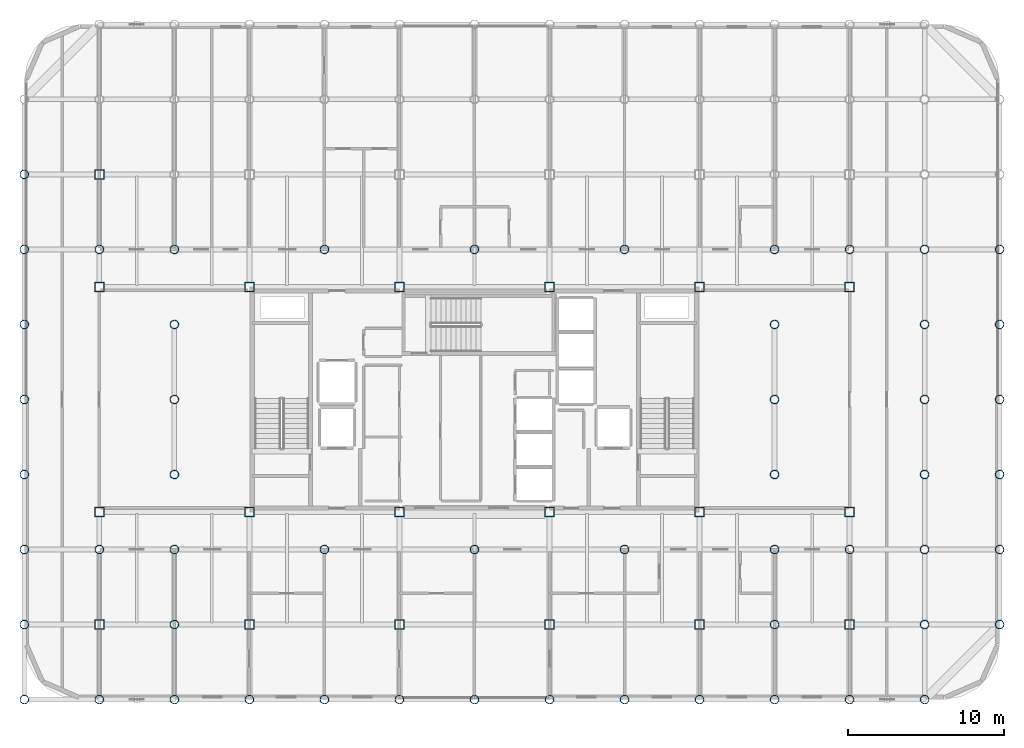
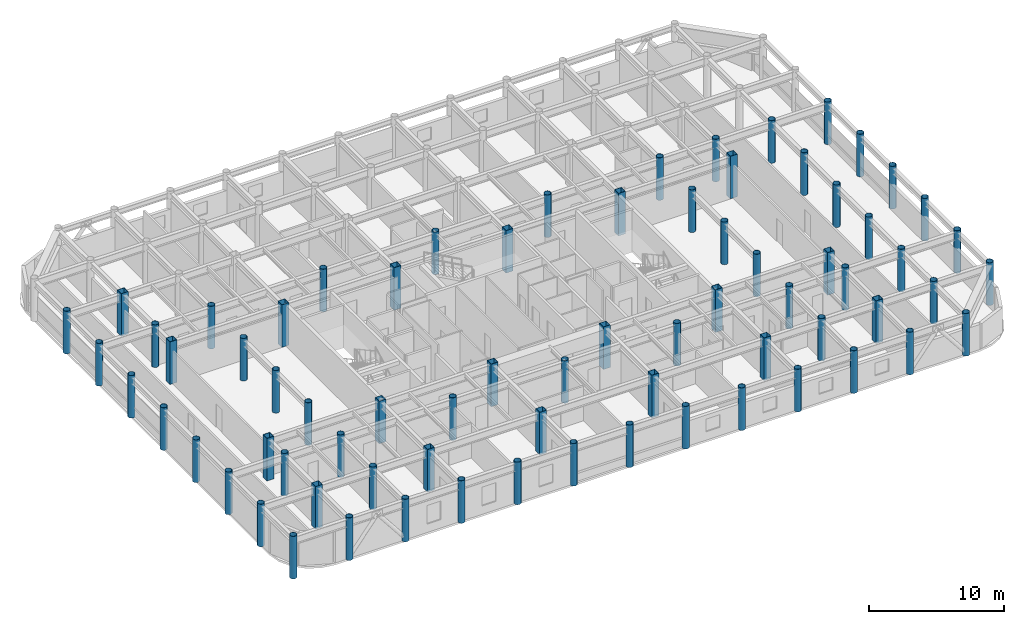
# One storey, part 1 of 23: 73 columns.
"""IFC4 building model written with IfcOpenShell, lengths in metres."""

from ifc_helpers import new_model, si_unit, direction, frame, origin, origin_2d, place, context, subcontext, project, spatial, hollow_rectangle, hollow_circle, extrude, material, material_profile, profile_set, type_object, element, save


model = new_model("IFC4")

# Units and contexts
model_context = context("Model", 3, precision=1e-05, world=origin(), true_north=direction((0.0, 1.0)))
body_context = subcontext(model_context, "Body", "Model", "MODEL_VIEW")
ifc_project = project(units=[si_unit("LENGTHUNIT", "METRE"), si_unit("AREAUNIT", "SQUARE_METRE"), si_unit("VOLUMEUNIT", "CUBIC_METRE"), si_unit("PLANEANGLEUNIT", "RADIAN"), si_unit("MASSUNIT", "GRAM", prefix="KILO")], contexts=[model_context])

# Site, building, storey
site_placement = place(None, origin())
site = spatial("IfcSite", under=ifc_project, at=site_placement, CompositionType="ELEMENT")
building_placement = place(site_placement, origin())
building = spatial("IfcBuilding", under=site, at=building_placement, Name="Kallvorn Hotel Tower", CompositionType="ELEMENT")
storey_placement = place(building_placement, frame((0.0, 0.0, 237.699951171875)))
storey = spatial("IfcBuildingStorey", under=building, at=storey_placement, Name="L59", CompositionType="ELEMENT", Elevation=237.699951171875)

# Columns
ifc_material_1 = material(Name="Structural steel S355J2H", Category="steel")
ifc_material_profile_1 = material_profile(ifc_material_1, hollow_circle(Radius=0.279541015625, WallThickness=0.02490234375, at=origin_2d()), Name="CHS 559x25")
ifc_profile_set_1 = profile_set([ifc_material_profile_1], Name="Structural steel S355J2H")
column_type_1 = type_object("IfcColumnType", Name="COL_CHS_559", PredefinedType="COLUMN", material=ifc_profile_set_1)
for number, where, z_axis, x_axis, name in (
    (1, (-28.800048828125, -19.199951171875, 0.0), (0.0, 0.0, 1.0), (1.0, 0.0, 0.0), "L59 Exoskeleton Column EC01"),
    (2, (-28.800048828125, -14.39990234375, 0.0), (0.0, 0.0, 1.0), (1.0, 0.0, 0.0), "L59 Exoskeleton Column EC02"),
    (3, (-28.800048828125, -9.60009765625, 0.0), (0.0, 0.0, 1.0), (1.0, 0.0, 0.0), "L59 Exoskeleton Column EC03"),
    (4, (-28.800048828125, -4.800048828125, 0.0), (0.0, 0.0, 1.0), (1.0, 0.0, 0.0), "L59 Exoskeleton Column EC04"),
    (5, (-28.800048828125, 0.0, 0.0), (0.0, 0.0, 1.0), (1.0, 0.0, 0.0), "L59 Exoskeleton Column EC05"),
    (6, (-28.800048828125, 4.800048828125, 0.0), (0.0, 0.0, 1.0), (1.0, 0.0, 0.0), "L59 Exoskeleton Column EC06"),
    (7, (-28.800048828125, 9.60009765625, 0.0), (0.0, 0.0, 1.0), (1.0, 0.0, 0.0), "L59 Exoskeleton Column EC07"),
    (8, (-28.800048828125, 14.39990234375, 0.0), (0.0, 0.0, 1.0), (1.0, 0.0, 0.0), "L59 Exoskeleton Column EC08"),
    (9, (-24.0, -19.199951171875, 0.0), (0.0, 0.0, 1.0), (1.0, 0.0, 0.0), "L59 Exoskeleton Column EC10"),
    (10, (-24.0, -9.60009765625, 0.0), (0.0, 0.0, 1.0), (1.0, 0.0, 0.0), "L59 Exoskeleton Column EC11"),
    (11, (-24.0, 9.60009765625, 0.0), (0.0, 0.0, 1.0), (1.0, 0.0, 0.0), "L59 Exoskeleton Column EC12"),
    (12, (-19.199951171875, -19.199951171875, 0.0), (0.0, 0.0, 1.0), (1.0, 0.0, 0.0), "L59 Exoskeleton Column EC15"),
    (13, (-19.199951171875, -14.39990234375, 0.0), (0.0, 0.0, 1.0), (1.0, 0.0, 0.0), "L59 Exoskeleton Column EC16"),
    (14, (-19.199951171875, -9.60009765625, 0.0), (0.0, 0.0, 1.0), (1.0, 0.0, 0.0), "L59 Exoskeleton Column EC17"),
    (15, (-19.199951171875, -4.800048828125, 0.0), (0.0, 0.0, 1.0), (1.0, 0.0, 0.0), "L59 Exoskeleton Column EC18"),
    (16, (-19.199951171875, 0.0, 0.0), (0.0, 0.0, 1.0), (1.0, 0.0, 0.0), "L59 Exoskeleton Column EC19"),
    (17, (-19.199951171875, 4.800048828125, 0.0), (0.0, 0.0, 1.0), (1.0, 0.0, 0.0), "L59 Exoskeleton Column EC20"),
    (18, (-19.199951171875, 9.60009765625, 0.0), (0.0, 0.0, 1.0), (1.0, 0.0, 0.0), "L59 Exoskeleton Column EC21"),
    (19, (-14.39990234375, -19.199951171875, 0.0), (0.0, 0.0, 1.0), (1.0, 0.0, 0.0), "L59 Exoskeleton Column EC25"),
    (20, (-9.60009765625, -19.199951171875, 0.0), (0.0, 0.0, 1.0), (1.0, 0.0, 0.0), "L59 Exoskeleton Column EC28"),
    (21, (-9.60009765625, -9.60009765625, 0.0), (0.0, 0.0, 1.0), (1.0, 0.0, 0.0), "L59 Exoskeleton Column EC29"),
    (22, (-9.60009765625, 9.60009765625, 0.0), (0.0, 0.0, 1.0), (1.0, 0.0, 0.0), "L59 Exoskeleton Column EC30"),
    (23, (-4.800048828125, -19.199951171875, 0.0), (0.0, 0.0, 1.0), (1.0, 0.0, 0.0), "L59 Exoskeleton Column EC33"),
    (24, (0.0, -19.199951171875, 0.0), (0.0, 0.0, 1.0), (1.0, 0.0, 0.0), "L59 Exoskeleton Column EC36"),
    (25, (0.0, -9.60009765625, 0.0), (0.0, 0.0, 1.0), (1.0, 0.0, 0.0), "L59 Exoskeleton Column EC37"),
    (26, (0.0, 9.60009765625, 0.0), (0.0, 0.0, 1.0), (1.0, 0.0, 0.0), "L59 Exoskeleton Column EC38"),
    (27, (4.800048828125, -19.199951171875, 0.0), (0.0, 0.0, 1.0), (1.0, 0.0, 0.0), "L59 Exoskeleton Column EC41"),
    (28, (9.60009765625, -19.199951171875, 0.0), (0.0, 0.0, 1.0), (1.0, 0.0, 0.0), "L59 Exoskeleton Column EC44"),
    (29, (9.60009765625, -9.60009765625, 0.0), (0.0, 0.0, 1.0), (1.0, 0.0, 0.0), "L59 Exoskeleton Column EC45"),
    (30, (9.60009765625, 9.60009765625, 0.0), (0.0, 0.0, 1.0), (1.0, 0.0, 0.0), "L59 Exoskeleton Column EC46"),
    (31, (14.39990234375, -19.199951171875, 0.0), (0.0, 0.0, 1.0), (1.0, 0.0, 0.0), "L59 Exoskeleton Column EC49"),
    (32, (19.199951171875, -19.199951171875, 0.0), (0.0, 0.0, 1.0), (1.0, 0.0, 0.0), "L59 Exoskeleton Column EC52"),
    (33, (19.199951171875, -14.39990234375, 0.0), (0.0, 0.0, 1.0), (1.0, 0.0, 0.0), "L59 Exoskeleton Column EC53"),
    (34, (19.199951171875, -9.60009765625, 0.0), (0.0, 0.0, 1.0), (1.0, 0.0, 0.0), "L59 Exoskeleton Column EC54"),
    (35, (19.199951171875, -4.800048828125, 0.0), (0.0, 0.0, 1.0), (1.0, 0.0, 0.0), "L59 Exoskeleton Column EC55"),
    (36, (19.199951171875, 0.0, 0.0), (0.0, 0.0, 1.0), (1.0, 0.0, 0.0), "L59 Exoskeleton Column EC56"),
    (37, (19.199951171875, 4.800048828125, 0.0), (0.0, 0.0, 1.0), (1.0, 0.0, 0.0), "L59 Exoskeleton Column EC57"),
    (38, (19.199951171875, 9.60009765625, 0.0), (0.0, 0.0, 1.0), (1.0, 0.0, 0.0), "L59 Exoskeleton Column EC58"),
    (39, (24.0, -19.199951171875, 0.0), (0.0, 0.0, 1.0), (1.0, 0.0, 0.0), "L59 Exoskeleton Column EC62"),
    (40, (24.0, -9.60009765625, 0.0), (0.0, 0.0, 1.0), (1.0, 0.0, 0.0), "L59 Exoskeleton Column EC63"),
    (41, (24.0, 9.60009765625, 0.0), (0.0, 0.0, 1.0), (1.0, 0.0, 0.0), "L59 Exoskeleton Column EC64"),
    (42, (28.800048828125, -19.199951171875, 0.0), (0.0, 0.0, 1.0), (1.0, 0.0, 0.0), "L59 Exoskeleton Column EC67"),
    (43, (28.800048828125, -14.39990234375, 0.0), (0.0, 0.0, 1.0), (1.0, 0.0, 0.0), "L59 Exoskeleton Column EC68"),
    (44, (28.800048828125, -9.60009765625, 0.0), (0.0, 0.0, 1.0), (1.0, 0.0, 0.0), "L59 Exoskeleton Column EC69"),
    (45, (28.800048828125, -4.800048828125, 0.0), (0.0, 0.0, 1.0), (1.0, 0.0, 0.0), "L59 Exoskeleton Column EC70"),
    (46, (28.800048828125, 0.0, 0.0), (0.0, 0.0, 1.0), (1.0, 0.0, 0.0), "L59 Exoskeleton Column EC71"),
    (47, (28.800048828125, 4.800048828125, 0.0), (0.0, 0.0, 1.0), (1.0, 0.0, 0.0), "L59 Exoskeleton Column EC72"),
    (48, (28.800048828125, 9.60009765625, 0.0), (0.0, 0.0, 1.0), (1.0, 0.0, 0.0), "L59 Exoskeleton Column EC73"),
    (49, (33.60009765625, -14.39990234375, 0.0), (0.0, 0.0, 1.0), (1.0, 0.0, 0.0), "L59 Exoskeleton Column EC77"),
    (50, (33.60009765625, -9.60009765625, 0.0), (0.0, 0.0, 1.0), (1.0, 0.0, 0.0), "L59 Exoskeleton Column EC78"),
    (51, (33.60009765625, -4.800048828125, 0.0), (0.0, 0.0, 1.0), (1.0, 0.0, 0.0), "L59 Exoskeleton Column EC79"),
    (52, (33.60009765625, 0.0, 0.0), (0.0, 0.0, 1.0), (1.0, 0.0, 0.0), "L59 Exoskeleton Column EC80"),
    (53, (33.60009765625, 4.800048828125, 0.0), (0.0, 0.0, 1.0), (1.0, 0.0, 0.0), "L59 Exoskeleton Column EC81"),
    (54, (33.60009765625, 9.60009765625, 0.0), (0.0, 0.0, 1.0), (1.0, 0.0, 0.0), "L59 Exoskeleton Column EC82"),
):
    element("IfcColumn", number, at=place(storey_placement, frame(where, z_axis=z_axis, x_axis=x_axis)), inside=storey, type_object=column_type_1, Name=name, PredefinedType="COLUMN", context=body_context, shape_type="SweptSolid", body=[
        extrude(hollow_circle(Radius=0.279541015625, WallThickness=0.02490234375, at=origin_2d()), origin(), (0.0, 0.0, 1.0), 3.85009765625),
    ])
ifc_material_2 = material(Name="Structural steel S355J2H", Category="steel")
ifc_material_profile_2 = material_profile(ifc_material_2, hollow_rectangle(XDim=0.60009765625, YDim=0.60009765625, WallThickness=0.028076171875, at=origin_2d()), Name="RHS 600x600x28")
ifc_profile_set_2 = profile_set([ifc_material_profile_2], Name="Structural steel S355J2H")
column_type_2 = type_object("IfcColumnType", Name="COL_RHS_600", PredefinedType="COLUMN", material=ifc_profile_set_2)
for number, where, z_axis, x_axis, name in (
    (55, (-24.0, -14.39990234375, 0.0), (0.0, 0.0, 1.0), (1.0, 0.0, 0.0), "L59 Inner Column IC01"),
    (56, (-24.0, -7.199951171875, 0.0), (0.0, 0.0, 1.0), (1.0, 0.0, 0.0), "L59 Inner Column IC02"),
    (57, (-24.0, 7.199951171875, 0.0), (0.0, 0.0, 1.0), (1.0, 0.0, 0.0), "L59 Inner Column IC03"),
    (58, (-24.0, 14.39990234375, 0.0), (0.0, 0.0, 1.0), (1.0, 0.0, 0.0), "L59 Inner Column IC04"),
    (59, (-14.39990234375, -14.39990234375, 0.0), (0.0, 0.0, 1.0), (1.0, 0.0, 0.0), "L59 Inner Column IC05"),
    (60, (-14.39990234375, -7.199951171875, 0.0), (0.0, 0.0, 1.0), (1.0, 0.0, 0.0), "L59 Inner Column IC06"),
    (61, (-14.39990234375, 7.199951171875, 0.0), (0.0, 0.0, 1.0), (1.0, 0.0, 0.0), "L59 Inner Column IC07"),
    (62, (-4.800048828125, -14.39990234375, 0.0), (0.0, 0.0, 1.0), (1.0, 0.0, 0.0), "L59 Inner Column IC09"),
    (63, (-4.800048828125, -7.199951171875, 0.0), (0.0, 0.0, 1.0), (1.0, 0.0, 0.0), "L59 Inner Column IC10"),
    (64, (-4.800048828125, 7.199951171875, 0.0), (0.0, 0.0, 1.0), (1.0, 0.0, 0.0), "L59 Inner Column IC11"),
    (65, (4.800048828125, -14.39990234375, 0.0), (0.0, 0.0, 1.0), (1.0, 0.0, 0.0), "L59 Inner Column IC13"),
    (66, (4.800048828125, -7.199951171875, 0.0), (0.0, 0.0, 1.0), (1.0, 0.0, 0.0), "L59 Inner Column IC14"),
    (67, (4.800048828125, 7.199951171875, 0.0), (0.0, 0.0, 1.0), (1.0, 0.0, 0.0), "L59 Inner Column IC15"),
    (68, (14.39990234375, -14.39990234375, 0.0), (0.0, 0.0, 1.0), (1.0, 0.0, 0.0), "L59 Inner Column IC17"),
    (69, (14.39990234375, -7.199951171875, 0.0), (0.0, 0.0, 1.0), (1.0, 0.0, 0.0), "L59 Inner Column IC18"),
    (70, (14.39990234375, 7.199951171875, 0.0), (0.0, 0.0, 1.0), (1.0, 0.0, 0.0), "L59 Inner Column IC19"),
    (71, (24.0, -14.39990234375, 0.0), (0.0, 0.0, 1.0), (1.0, 0.0, 0.0), "L59 Inner Column IC21"),
    (72, (24.0, -7.199951171875, 0.0), (0.0, 0.0, 1.0), (1.0, 0.0, 0.0), "L59 Inner Column IC22"),
    (73, (24.0, 7.199951171875, 0.0), (0.0, 0.0, 1.0), (1.0, 0.0, 0.0), "L59 Inner Column IC23"),
):
    element("IfcColumn", number, at=place(storey_placement, frame(where, z_axis=z_axis, x_axis=x_axis)), inside=storey, type_object=column_type_2, Name=name, PredefinedType="COLUMN", context=body_context, shape_type="SweptSolid", body=[
        extrude(hollow_rectangle(XDim=0.60009765625, YDim=0.60009765625, WallThickness=0.028076171875, at=origin_2d()), origin(), (0.0, 0.0, 1.0), 3.85009765625),
    ])

save(model, "model.ifc")
